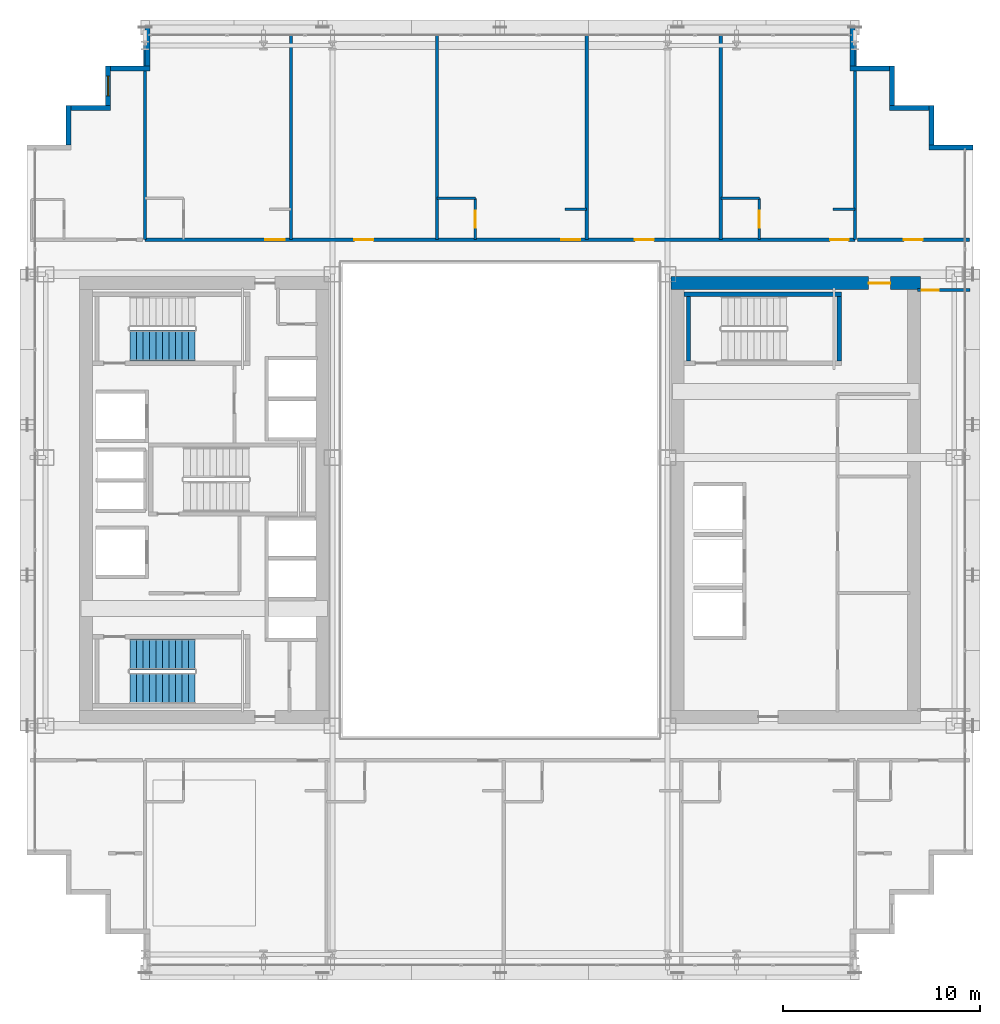
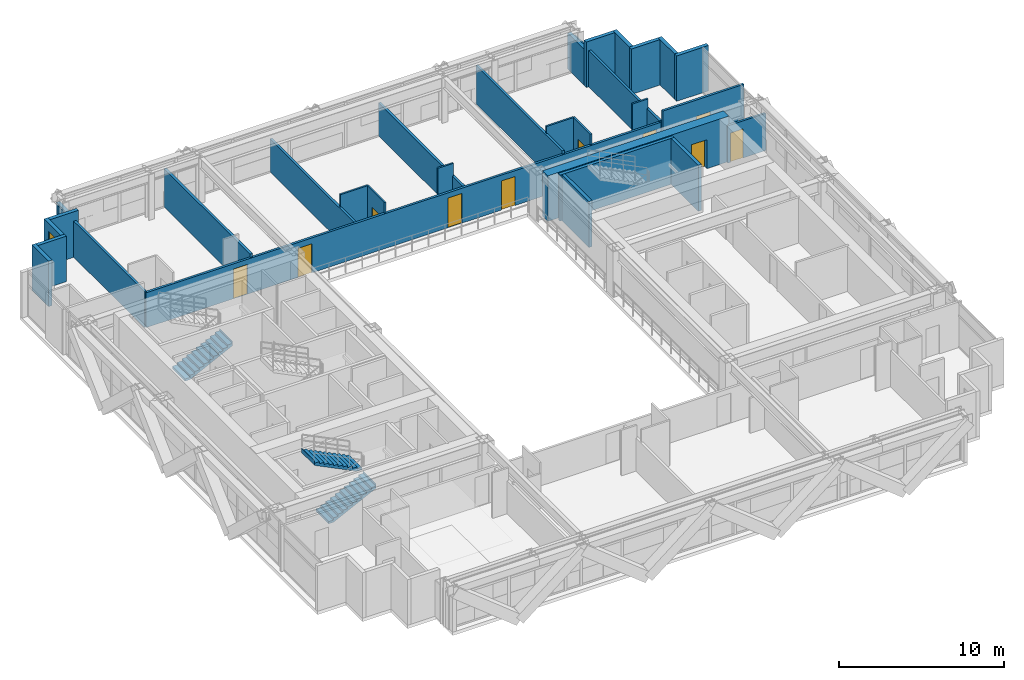
# One storey, part 30 of 35: 30 walls, 10 doors, 3 stair flights, 1 window, 11 openings, 2 elements without a shape of their own.
"""IFC4 building model written with IfcOpenShell, lengths in metres."""

import ifcopenshell
import ifcopenshell.guid

model = None  # the IFC model being written
_history = None  # IfcOwnerHistory: only IFC2X3 demands one
_inside = {}  # id of a spatial element -> (the spatial element, [elements in it])
_under = {}  # id of a project, library or spatial element -> (it, [spatial elements below it])
_declared = {}  # id of a project -> (the project, [libraries it declares])
_typed = {}  # id of a type object -> (the type object, [elements of that type])
_made_of = {}  # id of a material, layer set ... -> (it, [elements and type objects made of it])


def new_model(schema):
    """Start an empty IFC model of exactly this schema.

    Asked for "IFC4X3", IfcOpenShell would pick the latest addendum, in which some entities
    have other attributes; the version numbers below select the first issue.
    IFC2X3 requires an IfcOwnerHistory on every rooted entity: one is made here for all.
    """
    global model, _history
    if schema == "IFC4X3":
        model = ifcopenshell.file(schema_version=(4, 3, 0, 0))
    else:
        model = ifcopenshell.file(schema=schema)
    _inside.clear()
    _under.clear()
    _declared.clear()
    _typed.clear()
    _made_of.clear()
    _history = None
    if model.schema == "IFC2X3":
        org = make("IfcOrganization", Name="unknown")
        user = make(
            "IfcPersonAndOrganization",
            ThePerson=make("IfcPerson", FamilyName="unknown"),
            TheOrganization=org,
        )
        app = make(
            "IfcApplication",
            ApplicationDeveloper=org,
            Version="unknown",
            ApplicationFullName="unknown",
            ApplicationIdentifier="unknown",
        )
        _history = make(
            "IfcOwnerHistory",
            OwningUser=user,
            OwningApplication=app,
            ChangeAction="ADDED",
            CreationDate=0,
        )
    return model


def make(cls, **values):
    """One entity of the class cls with the attributes given. An attribute that is None is left unset."""
    return model.create_entity(
        cls, **{name: value for name, value in values.items() if value is not None}
    )


def rooted(cls, **values):
    """An entity with a GlobalId (a new one), such as an element, a storey or a relation."""
    return make(cls, GlobalId=ifcopenshell.guid.new(), OwnerHistory=_history, **values)


def si_unit(unit_type, name, prefix=None):
    """IfcSIUnit, for example si_unit("LENGTHUNIT", "METRE", prefix="MILLI")."""
    return make("IfcSIUnit", UnitType=unit_type, Prefix=prefix, Name=name)


def assignment(units):
    """IfcUnitAssignment: the units of a project."""
    return None if units is None else make("IfcUnitAssignment", Units=units)


def point(xyz):
    """IfcCartesianPoint."""
    return None if xyz is None else make("IfcCartesianPoint", Coordinates=xyz)


def direction(xyz):
    """IfcDirection."""
    return None if xyz is None else make("IfcDirection", DirectionRatios=xyz)


def frame(location, z_axis=None, x_axis=None):
    """IfcAxis2Placement3D, a coordinate frame: its origin and axes. An axis left out is left unset."""
    return make(
        "IfcAxis2Placement3D",
        Location=point(location),
        Axis=direction(z_axis),
        RefDirection=direction(x_axis),
    )


def frame_2d(location, x_axis=None):
    """IfcAxis2Placement2D, a coordinate frame in the plane: its origin and x axis."""
    return make(
        "IfcAxis2Placement2D", Location=point(location), RefDirection=direction(x_axis)
    )


def origin():
    """The frame at (0, 0, 0) with its axes left unset."""
    return frame((0.0, 0.0, 0.0))


def place(relative_to, where):
    """IfcLocalPlacement: puts the frame where relative to a parent placement (None: the world)."""
    return make(
        "IfcLocalPlacement", PlacementRelTo=relative_to, RelativePlacement=where
    )


def context(
    kind, dimensions, precision=None, world=None, true_north=None, identifier=None
):
    """IfcGeometricRepresentationContext, for example the 3D "Model" context."""
    return make(
        "IfcGeometricRepresentationContext",
        ContextIdentifier=identifier,
        ContextType=kind,
        CoordinateSpaceDimension=dimensions,
        Precision=precision,
        WorldCoordinateSystem=world,
        TrueNorth=true_north,
    )


def subcontext(parent, identifier, kind, view, scale=None):
    """IfcGeometricRepresentationSubContext, for example "Body" below "Model"."""
    return make(
        "IfcGeometricRepresentationSubContext",
        ContextIdentifier=identifier,
        ContextType=kind,
        ParentContext=parent,
        TargetScale=scale,
        TargetView=view,
    )


def project(units=None, contexts=None):
    """IfcProject with its units and contexts."""
    return rooted(
        "IfcProject",
        Name="project",
        RepresentationContexts=contexts,
        UnitsInContext=assignment(units),
    )


def spatial(cls, under=None, at=None, **own):
    """A site, building, storey or space (cls), placed at a placement, below another one or the project."""
    s = rooted(cls, ObjectPlacement=at, **own)
    if under is not None:
        _under.setdefault(under.id(), (under, []))[1].append(s)
    return s


def polyline(points):
    """IfcPolyline through the points."""
    return make("IfcPolyline", Points=[point(p) for p in points])


def profile(cls, at=None, kind="AREA", **sizes):
    """A parametric profile (cls). Its sizes go by their IFC names, for example OverallWidth=200.0."""
    return make(cls, ProfileType=kind, Position=at, **sizes)


def rectangle(**sizes):
    """IfcRectangleProfileDef."""
    return profile("IfcRectangleProfileDef", **sizes)


def outline(outer, holes=None, kind="AREA"):
    """IfcArbitraryClosedProfileDef: a profile drawn as a closed curve; with holes, ...WithVoids."""
    if holes is None:
        return make("IfcArbitraryClosedProfileDef", ProfileType=kind, OuterCurve=outer)
    return make(
        "IfcArbitraryProfileDefWithVoids",
        ProfileType=kind,
        OuterCurve=outer,
        InnerCurves=holes,
    )


def extrude(swept, where, along, depth):
    """IfcExtrudedAreaSolid: the profile swept, set in the frame where, extruded along a direction by depth."""
    return make(
        "IfcExtrudedAreaSolid",
        SweptArea=swept,
        Position=where,
        ExtrudedDirection=direction(along),
        Depth=depth,
    )


def shape(context_of_items, identifier, shape_type, items):
    """IfcShapeRepresentation: the items that make up one representation, for example the "Body"."""
    return make(
        "IfcShapeRepresentation",
        ContextOfItems=context_of_items,
        RepresentationIdentifier=identifier,
        RepresentationType=shape_type,
        Items=items,
    )


def source(mapping_origin, context_of_items, identifier, shape_type, items):
    """IfcRepresentationMap: a shape defined once, which mapped items show again and again."""
    return make(
        "IfcRepresentationMap",
        MappingOrigin=mapping_origin,
        MappedRepresentation=shape(context_of_items, identifier, shape_type, items),
    )


def transform(
    local_origin,
    x_axis=None,
    y_axis=None,
    z_axis=None,
    scale=None,
    scale2=None,
    scale3=None,
    uniform=True,
):
    """IfcCartesianTransformationOperator3D, or its non-uniform kind. x_axis, y_axis, z_axis: its Axis1, 2, 3."""
    if uniform:
        return make(
            "IfcCartesianTransformationOperator3D",
            Axis1=direction(x_axis),
            Axis2=direction(y_axis),
            LocalOrigin=point(local_origin),
            Scale=scale,
            Axis3=direction(z_axis),
        )
    return make(
        "IfcCartesianTransformationOperator3DnonUniform",
        Axis1=direction(x_axis),
        Axis2=direction(y_axis),
        LocalOrigin=point(local_origin),
        Scale=scale,
        Axis3=direction(z_axis),
        Scale2=scale2,
        Scale3=scale3,
    )


def mapped(mapping_source, mapping_target):
    """IfcMappedItem: shows the shape of a source again, moved by a transform."""
    return make(
        "IfcMappedItem", MappingSource=mapping_source, MappingTarget=mapping_target
    )


def material(Name=None, Category=None):
    """IfcMaterial."""
    return make("IfcMaterial", Name=Name, Category=Category)


def layer(
    of_material, thickness, ventilated=None, Name=None, Category=None, Priority=None
):
    """IfcMaterialLayer: one layer of a wall or slab, of a material (None: an air gap)."""
    return make(
        "IfcMaterialLayer",
        Material=of_material,
        LayerThickness=thickness,
        IsVentilated=ventilated,
        Name=Name,
        Category=Category,
        Priority=Priority,
    )


def layer_set(layers, Name=None):
    """IfcMaterialLayerSet."""
    return make("IfcMaterialLayerSet", MaterialLayers=layers, LayerSetName=Name)


def made_of(thing, what):
    """Note that an element or type object is made of a material, layer set ...; save() writes the relation."""
    if what is not None:
        _made_of.setdefault(what.id(), (what, []))[1].append(thing)
    return thing


def type_object(cls, material=None, **own):
    """A type object (cls), such as IfcWallType, which elements share."""
    return made_of(rooted(cls, **own), material)


def element(
    cls,
    number,
    at=None,
    inside=None,
    cuts=None,
    type_object=None,
    material=None,
    context=None,
    identifier="Body",
    shape_type=None,
    held_by="IfcProductDefinitionShape",
    body=None,
    shapes=None,
    **own,
):
    """One element of the class cls, such as IfcWall. Its Tag is "e" and its number.

    at: its placement. inside: the storey or other place that contains it. cuts: it is an
    opening in that element (IfcRelVoidsElement). A single representation is given by context,
    identifier, shape_type and body (its items); several are given by shapes. held_by: the class
    of the entity that holds the representations. save() writes the other relations.
    """
    e = rooted(cls, Tag="e%d" % number, ObjectPlacement=at, **own)
    if body is not None:
        shapes = [shape(context, identifier, shape_type, body)]
    if shapes is not None:
        e.Representation = make(held_by, Representations=shapes)
    if inside is not None:
        _inside.setdefault(inside.id(), (inside, []))[1].append(e)
    if cuts is not None:
        rooted(
            "IfcRelVoidsElement", RelatingBuildingElement=cuts, RelatedOpeningElement=e
        )
    if type_object is not None:
        _typed.setdefault(type_object.id(), (type_object, []))[1].append(e)
    return made_of(e, material)


def fill(opening, filler):
    """IfcRelFillsElement: the door or window that sits in an opening."""
    return rooted(
        "IfcRelFillsElement",
        RelatingOpeningElement=opening,
        RelatedBuildingElement=filler,
    )


def aggregate(whole, parts):
    """IfcRelAggregates: a whole, such as a stair, and the parts it consists of."""
    return rooted("IfcRelAggregates", RelatingObject=whole, RelatedObjects=parts)


def save(model, path):
    """Write the relations noted so far, then the file.

    IfcRelAggregates (storeys below a building ...), IfcRelContainedInSpatialStructure (elements
    in a storey), IfcRelDefinesByType, IfcRelAssociatesMaterial and IfcRelDeclares: one each for
    every whole, place, type object, material and project.
    """
    for whole, parts in _under.values():
        aggregate(whole, parts)
    for where, things in _inside.values():
        rooted(
            "IfcRelContainedInSpatialStructure",
            RelatedElements=things,
            RelatingStructure=where,
        )
    for kind, things in _typed.values():
        rooted("IfcRelDefinesByType", RelatedObjects=things, RelatingType=kind)
    for what, things in _made_of.values():
        rooted("IfcRelAssociatesMaterial", RelatedObjects=things, RelatingMaterial=what)
    for by, libraries in _declared.values():
        rooted("IfcRelDeclares", RelatingContext=by, RelatedDefinitions=libraries)
    model.write(path)


model = new_model("IFC4")

# Units and contexts
model_context = context("Model", 3, precision=1e-05, world=origin(), true_north=direction((0.0, 1.0)))
body_context = subcontext(model_context, "Body", "Model", "MODEL_VIEW")
ifc_project = project(units=[si_unit("LENGTHUNIT", "METRE"), si_unit("AREAUNIT", "SQUARE_METRE"), si_unit("VOLUMEUNIT", "CUBIC_METRE"), si_unit("PLANEANGLEUNIT", "RADIAN"), si_unit("MASSUNIT", "GRAM", prefix="KILO")], contexts=[model_context])

# Site, building, storey
site_placement = place(None, origin())
site = spatial("IfcSite", under=ifc_project, at=site_placement, CompositionType="ELEMENT")
building_placement = place(site_placement, origin())
building = spatial("IfcBuilding", under=site, at=building_placement, Name="Ocotamira Hotel", CompositionType="ELEMENT")
storey_placement = place(building_placement, frame((0.0, 0.0, 115.199951171875)))
storey = spatial("IfcBuildingStorey", under=building, at=storey_placement, Name="L28", CompositionType="ELEMENT", Elevation=115.199951171875)

# Wall, opening, door
ifc_material_1 = material(Name="Concrete C60/75", Category="concrete")
ifc_layer_1 = layer(ifc_material_1, 0.64990234375)
ifc_layer_set_1 = layer_set([ifc_layer_1], Name="Concrete C60/75")
wall_type_1 = type_object("IfcWallType", Name="WL-CORE-650", PredefinedType="SHEAR", material=ifc_layer_set_1)
wall_1_placement = place(storey_placement, frame((40.675048828125, 37.0, 0.0), z_axis=(0.0, 0.0, 1.0), x_axis=(1.0, 0.0, 0.0)))
wall_1 = element("IfcWall", 1, at=wall_1_placement, inside=storey, type_object=wall_type_1, Name="L28 Shear Core Wall ECORE-N", PredefinedType="SHEAR", context=body_context, shape_type="SweptSolid", body=[
    extrude(rectangle(XDim=12.64990234375, YDim=0.64990234375, at=frame_2d((6.324951171875, 0.0))), origin(), (0.0, 0.0, 1.0), 3.360107421875),
])
opening_1_placement = place(wall_1_placement, frame((10.02490234375, 0.0, 0.0)))
opening_1 = element("IfcOpeningElement", 2, at=opening_1_placement, cuts=wall_1, Name="Opening D-FR1", PredefinedType="OPENING", context=body_context, shape_type="SweptSolid", body=[
    extrude(rectangle(XDim=1.10009765625, YDim=2.14990234375, at=frame_2d((0.550048828125, 1.074951171875))), frame((0.0, 0.3349609375, 0.0), z_axis=(0.0, -1.0, 0.0), x_axis=(1.0, 0.0, 0.0)), (0.0, 0.0, 1.0), 0.669921875),
])
ifc_material_2 = material(Name="Fire-rated acoustic timber-veneer door", Category="wood")
door_type_1 = type_object("IfcDoorType", Name="DR-FIRE-1100", OperationType="NOTDEFINED", PredefinedType="DOOR", material=ifc_material_2)
shared_shape_1 = source(origin(), body_context, "Body", "SweptSolid", [
    extrude(rectangle(XDim=1.10009765625, YDim=2.14990234375, at=frame_2d((0.550048828125, 1.074951171875))), frame((0.0, 0.02490234375, 0.0), z_axis=(0.0, -1.0, 0.0), x_axis=(1.0, 0.0, 0.0)), (0.0, 0.0, 1.0), 0.050048828125),
])
door_1_placement = place(opening_1_placement, origin())
door_1 = element("IfcDoor", 3, at=door_1_placement, inside=storey, type_object=door_type_1, Name="L28 Door ID-L28-ELOB-N-D [ID-L28-ELOB-N-D]", OperationType="SINGLE_SWING_LEFT", OverallHeight=2.14990234375, OverallWidth=1.10009765625, PredefinedType="DOOR", context=body_context, shape_type="MappedRepresentation", body=[
    mapped(shared_shape_1, transform((0.0, 0.0, 0.0), scale=1.0)),
])
fill(opening_1, door_1)

# Walls
ifc_material_3 = material(Name="Precast concrete C45/55", Category="concrete")
ifc_layer_2 = layer(ifc_material_3, 0.25)
ifc_layer_set_2 = layer_set([ifc_layer_2], Name="Precast concrete C45/55")
wall_type_2 = type_object("IfcWallType", Name="WL-EXT-SER-250", PredefinedType="SOLIDWALL", material=ifc_layer_set_2)
wall_2_placement = place(storey_placement, frame((56.0, 43.875, 0.0), z_axis=(0.0, 0.0, 1.0), x_axis=(-1.0, 0.0, 0.0)))
element("IfcWall", 4, at=wall_2_placement, inside=storey, type_object=wall_type_2, Name="L28 Serrated Corner Wall 07", PredefinedType="SOLIDWALL", context=body_context, shape_type="SweptSolid", body=[
    extrude(rectangle(XDim=2.25, YDim=0.25, at=frame_2d((1.125, 0.0))), origin(), (0.0, 0.0, 1.0), 3.360107421875),
])
for number, where, z_axis, x_axis, name in (
    (5, (53.875, 44.0, 0.0), (0.0, 0.0, 1.0), (0.0, 1.0, 0.0), "L28 Serrated Corner Wall 08"),
    (6, (53.75, 45.875, 0.0), (0.0, 0.0, 1.0), (-1.0, 0.0, 0.0), "L28 Serrated Corner Wall 09"),
    (7, (51.875, 46.0, 0.0), (0.0, 0.0, 1.0), (0.0, 1.0, 0.0), "L28 Serrated Corner Wall 10"),
    (8, (51.75, 47.875, 0.0), (0.0, 0.0, 1.0), (-1.0, 0.0, 0.0), "L28 Serrated Corner Wall 11"),
):
    element("IfcWall", number, at=place(storey_placement, frame(where, z_axis=z_axis, x_axis=x_axis)), inside=storey, type_object=wall_type_2, Name=name, PredefinedType="SOLIDWALL", context=body_context, shape_type="SweptSolid", body=[
        extrude(rectangle(XDim=2.0, YDim=0.25, at=frame_2d((1.0, 0.0))), origin(), (0.0, 0.0, 1.0), 3.360107421875),
    ])
for number, where, z_axis, x_axis, name in (
    (9, (49.875, 48.0, 0.0), (0.0, 0.0, 1.0), (0.0, 1.0, 0.0), "L28 Serrated Corner Wall 12"),
    (10, (14.125, 50.0, 0.0), (0.0, 0.0, 1.0), (0.0, -1.0, 0.0), "L28 Serrated Corner Wall 13"),
):
    element("IfcWall", number, at=place(storey_placement, frame(where, z_axis=z_axis, x_axis=x_axis)), inside=storey, type_object=wall_type_2, Name=name, PredefinedType="SOLIDWALL", context=body_context, shape_type="SweptSolid", body=[
        extrude(rectangle(XDim=2.0, YDim=0.25, at=frame_2d((1.0, 0.0))), origin(), (0.0, 0.0, 1.0), 2.6669921875),
    ])
wall_3_placement = place(storey_placement, frame((14.25, 47.875, 0.0), z_axis=(0.0, 0.0, 1.0), x_axis=(-1.0, 0.0, 0.0)))
element("IfcWall", 11, at=wall_3_placement, inside=storey, type_object=wall_type_2, Name="L28 Serrated Corner Wall 14", PredefinedType="SOLIDWALL", context=body_context, shape_type="SweptSolid", body=[
    extrude(rectangle(XDim=2.0, YDim=0.25, at=frame_2d((1.0, 0.0))), origin(), (0.0, 0.0, 1.0), 3.360107421875),
])

# Wall, opening, window
wall_4_placement = place(storey_placement, frame((12.125, 48.0, 0.0), z_axis=(0.0, 0.0, 1.0), x_axis=(0.0, -1.0, 0.0)))
wall_4 = element("IfcWall", 12, at=wall_4_placement, inside=storey, type_object=wall_type_2, Name="L28 Serrated Corner Wall 15", PredefinedType="SOLIDWALL", context=body_context, shape_type="SweptSolid", body=[
    extrude(rectangle(XDim=2.0, YDim=0.25, at=frame_2d((1.0, 0.0))), origin(), (0.0, 0.0, 1.0), 3.360107421875),
])
opening_2_placement = place(wall_4_placement, frame((0.5, 0.0, 0.85009765625)))
opening_2 = element("IfcOpeningElement", 13, at=opening_2_placement, cuts=wall_4, Name="Opening WN-2", PredefinedType="OPENING", context=body_context, shape_type="SweptSolid", body=[
    extrude(rectangle(XDim=1.0, YDim=1.89990234375, at=frame_2d((0.5, 0.949951171875))), frame((0.0, 0.135009765625, 0.0), z_axis=(0.0, -1.0, 0.0), x_axis=(1.0, 0.0, 0.0)), (0.0, 0.0, 1.0), 0.27001953125),
])
ifc_material_4 = material(Name="Double-silver low-E solar glass", Category="glass")
window_type = type_object("IfcWindowType", Name="WIN-SER-1100", PartitioningType="SINGLE_PANEL", PredefinedType="WINDOW", material=ifc_material_4)
shared_shape_2 = source(origin(), body_context, "Body", "SweptSolid", [
    extrude(rectangle(XDim=1.0, YDim=1.89990234375, at=frame_2d((0.5, 0.949951171875))), frame((0.0, 0.030029296875, 0.0), z_axis=(0.0, -1.0, 0.0), x_axis=(1.0, 0.0, 0.0)), (0.0, 0.0, 1.0), 0.06005859375),
])
window_placement = place(opening_2_placement, origin())
window = element("IfcWindow", 14, at=window_placement, inside=storey, type_object=window_type, Name="L28 Serrated Corner Window 15", OverallHeight=1.89990234375, OverallWidth=1.0, PartitioningType="SINGLE_PANEL", PredefinedType="WINDOW", context=body_context, shape_type="MappedRepresentation", body=[
    mapped(shared_shape_2, transform((0.0, 0.0, 0.0), scale=1.0)),
])
fill(opening_2, window)

# Walls
for number, where, z_axis, x_axis, name in (
    (15, (12.25, 45.875, 0.0), (0.0, 0.0, 1.0), (-1.0, 0.0, 0.0), "L28 Serrated Corner Wall 16"),
    (16, (10.125, 46.0, 0.0), (0.0, 0.0, 1.0), (0.0, -1.0, 0.0), "L28 Serrated Corner Wall 17"),
):
    element("IfcWall", number, at=place(storey_placement, frame(where, z_axis=z_axis, x_axis=x_axis)), inside=storey, type_object=wall_type_2, Name=name, PredefinedType="SOLIDWALL", context=body_context, shape_type="SweptSolid", body=[
        extrude(rectangle(XDim=2.0, YDim=0.25, at=frame_2d((1.0, 0.0))), origin(), (0.0, 0.0, 1.0), 3.360107421875),
    ])

# Wall, opening, door
ifc_material_5 = material(Name="Acoustic double-layer fire gypsum board partition", Category="gypsum")
ifc_layer_3 = layer(ifc_material_5, 0.159912109375)
ifc_layer_set_3 = layer_set([ifc_layer_3], Name="Acoustic double-layer fire gypsum board partition")
wall_type_3 = type_object("IfcWallType", Name="WL-FIRE-160", PredefinedType="PARTITIONING", material=ifc_layer_set_3)
wall_5_placement = place(storey_placement, frame((50.1201171875, 39.199951171875, 0.0), z_axis=(0.0, 0.0, 1.0), x_axis=(1.0, 0.0, 0.0)))
wall_5 = element("IfcWall", 17, at=wall_5_placement, inside=storey, type_object=wall_type_3, Name="L28 Interior Wall PW-L28-Z2B-CNE-CW", PredefinedType="PARTITIONING", context=body_context, shape_type="SweptSolid", body=[
    extrude(rectangle(XDim=5.679931640625, YDim=0.159912109375, at=frame_2d((2.83984375, 0.0))), origin(), (0.0, 0.0, 1.0), 3.360107421875),
])
opening_3_placement = place(wall_5_placement, frame((2.360107421875, 0.0, 0.0)))
opening_3 = element("IfcOpeningElement", 18, at=opening_3_placement, cuts=wall_5, Name="Opening D-SV4", PredefinedType="OPENING", context=body_context, shape_type="SweptSolid", body=[
    extrude(rectangle(XDim=0.9599609375, YDim=2.14990234375, at=frame_2d((0.47998046875, 1.074951171875))), frame((0.0, 0.08984375, 0.0), z_axis=(0.0, -1.0, 0.0), x_axis=(1.0, 0.0, 0.0)), (0.0, 0.0, 1.0), 0.179931640625),
])
ifc_material_6 = material(Name="Fire-rated accessible walnut salon door", Category="wood")
door_type_2 = type_object("IfcDoorType", Name="DR-SERV-960", OperationType="NOTDEFINED", PredefinedType="DOOR", material=ifc_material_6)
shared_shape_3 = source(origin(), body_context, "Body", "SweptSolid", [
    extrude(rectangle(XDim=0.9599609375, YDim=2.14990234375, at=frame_2d((0.47998046875, 1.074951171875))), frame((0.0, 0.02490234375, 0.0), z_axis=(0.0, -1.0, 0.0), x_axis=(1.0, 0.0, 0.0)), (0.0, 0.0, 1.0), 0.050048828125),
])
door_2_placement = place(opening_3_placement, origin())
door_2 = element("IfcDoor", 19, at=door_2_placement, inside=storey, type_object=door_type_2, Name="L28 Door ID-L28-Z2B-CNE-CD [ID-L28-Z2B-CNE-CD]", OperationType="SINGLE_SWING_LEFT", OverallHeight=2.14990234375, OverallWidth=0.9599609375, PredefinedType="DOOR", context=body_context, shape_type="MappedRepresentation", body=[
    mapped(shared_shape_3, transform((0.0, 0.0, 0.0), scale=1.0)),
])
fill(opening_3, door_2)

# Wall, openings, doors
wall_6_placement = place(storey_placement, frame((14.0, 39.199951171875, 0.0), z_axis=(0.0, 0.0, 1.0), x_axis=(1.0, 0.0, 0.0)))
wall_6 = element("IfcWall", 20, at=wall_6_placement, inside=storey, type_object=wall_type_3, Name="L28 Interior Wall PW-L28-Z2BN-CORRW", PredefinedType="PARTITIONING", context=body_context, shape_type="SweptSolid", body=[
    extrude(rectangle(XDim=36.0, YDim=0.159912109375, at=frame_2d((18.0, 0.0))), origin(), (0.0, 0.0, 1.0), 2.5810546875),
])
opening_4_placement = place(wall_6_placement, frame((6.10009765625, 0.0, 0.0)))
opening_4 = element("IfcOpeningElement", 21, at=opening_4_placement, cuts=wall_6, Name="Opening D-GR2", PredefinedType="OPENING", context=body_context, shape_type="SweptSolid", body=[
    extrude(rectangle(XDim=0.97998046875, YDim=2.199951171875, at=frame_2d((0.489990234375, 1.10009765625))), frame((0.0, 0.08984375, 0.0), z_axis=(0.0, -1.0, 0.0), x_axis=(1.0, 0.0, 0.0)), (0.0, 0.0, 1.0), 0.179931640625),
])
opening_5_placement = place(wall_6_placement, frame((10.6201171875, 0.0, 0.0)))
opening_5 = element("IfcOpeningElement", 22, at=opening_5_placement, cuts=wall_6, Name="Opening D-SV4", PredefinedType="OPENING", context=body_context, shape_type="SweptSolid", body=[
    extrude(rectangle(XDim=0.9599609375, YDim=2.14990234375, at=frame_2d((0.47998046875, 1.074951171875))), frame((0.0, 0.08984375, 0.0), z_axis=(0.0, -1.0, 0.0), x_axis=(1.0, 0.0, 0.0)), (0.0, 0.0, 1.0), 0.179931640625),
])
opening_6_placement = place(wall_6_placement, frame((21.10009765625, 0.0, 0.0)))
opening_6 = element("IfcOpeningElement", 23, at=opening_6_placement, cuts=wall_6, Name="Opening D-GR2", PredefinedType="OPENING", context=body_context, shape_type="SweptSolid", body=[
    extrude(rectangle(XDim=0.97998046875, YDim=2.199951171875, at=frame_2d((0.489990234375, 1.10009765625))), frame((0.0, 0.08984375, 0.0), z_axis=(0.0, -1.0, 0.0), x_axis=(1.0, 0.0, 0.0)), (0.0, 0.0, 1.0), 0.179931640625),
])
opening_7_placement = place(wall_6_placement, frame((24.840087890625, 0.0, 0.0)))
opening_7 = element("IfcOpeningElement", 24, at=opening_7_placement, cuts=wall_6, Name="Opening D-SV4", PredefinedType="OPENING", context=body_context, shape_type="SweptSolid", body=[
    extrude(rectangle(XDim=0.9599609375, YDim=2.14990234375, at=frame_2d((0.47998046875, 1.074951171875))), frame((0.0, 0.08984375, 0.0), z_axis=(0.0, -1.0, 0.0), x_axis=(1.0, 0.0, 0.0)), (0.0, 0.0, 1.0), 0.179931640625),
])
opening_8_placement = place(wall_6_placement, frame((34.739990234375, 0.0, 0.0)))
opening_8 = element("IfcOpeningElement", 25, at=opening_8_placement, cuts=wall_6, Name="Opening D-GR1", PredefinedType="OPENING", context=body_context, shape_type="SweptSolid", body=[
    extrude(rectangle(XDim=0.93994140625, YDim=2.14990234375, at=frame_2d((0.469970703125, 1.074951171875))), frame((0.0, 0.08984375, 0.0), z_axis=(0.0, -1.0, 0.0), x_axis=(1.0, 0.0, 0.0)), (0.0, 0.0, 1.0), 0.179931640625),
])
door_3_placement = place(opening_5_placement, origin())
door_3 = element("IfcDoor", 26, at=door_3_placement, inside=storey, type_object=door_type_2, Name="L28 Door ID-L28-Z2BN-AMD2 [ID-L28-Z2BN-AMD2]", OperationType="SINGLE_SWING_RIGHT", OverallHeight=2.14990234375, OverallWidth=0.9599609375, PredefinedType="DOOR", context=body_context, shape_type="MappedRepresentation", body=[
    mapped(shared_shape_3, transform((0.0, 0.0, 0.0), scale=1.0)),
])
fill(opening_5, door_3)
door_4_placement = place(opening_7_placement, origin())
door_4 = element("IfcDoor", 27, at=door_4_placement, inside=storey, type_object=door_type_2, Name="L28 Door ID-L28-Z2BN-AMD4 [ID-L28-Z2BN-AMD4]", OperationType="SINGLE_SWING_RIGHT", OverallHeight=2.14990234375, OverallWidth=0.9599609375, PredefinedType="DOOR", context=body_context, shape_type="MappedRepresentation", body=[
    mapped(shared_shape_3, transform((0.0, 0.0, 0.0), scale=1.0)),
])
fill(opening_7, door_4)
ifc_material_7 = material(Name="Solid-core walnut suite entrance fire door", Category="wood")
door_type_3 = type_object("IfcDoorType", Name="DR-GUEST-940", OperationType="NOTDEFINED", PredefinedType="DOOR", material=ifc_material_7)
shared_shape_4 = source(origin(), body_context, "Body", "SweptSolid", [
    extrude(rectangle(XDim=0.93994140625, YDim=2.14990234375, at=frame_2d((0.469970703125, 1.074951171875))), frame((0.0, 0.02490234375, 0.0), z_axis=(0.0, -1.0, 0.0), x_axis=(1.0, 0.0, 0.0)), (0.0, 0.0, 1.0), 0.050048828125),
])
door_5_placement = place(opening_8_placement, origin())
door_5 = element("IfcDoor", 28, at=door_5_placement, inside=storey, type_object=door_type_3, Name="L28 Door ID-L28-Z2BN-RMD5 [ID-L28-Z2BN-RMD5]", OperationType="SINGLE_SWING_LEFT", OverallHeight=2.14990234375, OverallWidth=0.93994140625, PredefinedType="DOOR", context=body_context, shape_type="MappedRepresentation", body=[
    mapped(shared_shape_4, transform((0.0, 0.0, 0.0), scale=1.0)),
])
fill(opening_8, door_5)
ifc_material_8 = material(Name="Solid-core walnut grand-suite entrance fire door", Category="wood")
door_type_4 = type_object("IfcDoorType", Name="DR-GUEST-980", OperationType="NOTDEFINED", PredefinedType="DOOR", material=ifc_material_8)
shared_shape_5 = source(origin(), body_context, "Body", "SweptSolid", [
    extrude(rectangle(XDim=0.97998046875, YDim=2.199951171875, at=frame_2d((0.489990234375, 1.10009765625))), frame((0.0, 0.02490234375, 0.0), z_axis=(0.0, -1.0, 0.0), x_axis=(1.0, 0.0, 0.0)), (0.0, 0.0, 1.0), 0.050048828125),
])
door_6_placement = place(opening_4_placement, origin())
door_6 = element("IfcDoor", 29, at=door_6_placement, inside=storey, type_object=door_type_4, Name="L28 Door ID-L28-Z2BN-RMD1 [ID-L28-Z2BN-RMD1]", OperationType="SINGLE_SWING_LEFT", OverallHeight=2.199951171875, OverallWidth=0.97998046875, PredefinedType="DOOR", context=body_context, shape_type="MappedRepresentation", body=[
    mapped(shared_shape_5, transform((0.0, 0.0, 0.0), scale=1.0)),
])
fill(opening_4, door_6)
door_7_placement = place(opening_6_placement, origin())
door_7 = element("IfcDoor", 30, at=door_7_placement, inside=storey, type_object=door_type_4, Name="L28 Door ID-L28-Z2BN-RMD3 [ID-L28-Z2BN-RMD3]", OperationType="SINGLE_SWING_LEFT", OverallHeight=2.199951171875, OverallWidth=0.97998046875, PredefinedType="DOOR", context=body_context, shape_type="MappedRepresentation", body=[
    mapped(shared_shape_5, transform((0.0, 0.0, 0.0), scale=1.0)),
])
fill(opening_6, door_7)

# Wall, opening, door
ifc_material_9 = material(Name="Moisture-resistant en-suite tile and gypsum partition", Category="gypsum")
ifc_layer_4 = layer(ifc_material_9, 0.1201171875)
ifc_layer_set_4 = layer_set([ifc_layer_4], Name="Moisture-resistant en-suite tile and gypsum partition")
wall_type_4 = type_object("IfcWallType", Name="WL-PART-120", PredefinedType="PARTITIONING", material=ifc_layer_set_4)
wall_7_placement = place(storey_placement, frame((30.75, 39.199951171875, 0.0), z_axis=(0.0, 0.0, 1.0), x_axis=(0.0, 1.0, 0.0)))
wall_7 = element("IfcWall", 31, at=wall_7_placement, inside=storey, type_object=wall_type_4, Name="L28 Interior Wall PW-L28-Z2BN-BAE3", PredefinedType="PARTITIONING", context=body_context, shape_type="SweptSolid", body=[
    extrude(rectangle(XDim=2.10009765625, YDim=0.1201171875, at=frame_2d((1.050048828125, 0.0))), origin(), (0.0, 0.0, 1.0), 3.360107421875),
])
opening_9_placement = place(wall_7_placement, frame((0.6201171875, 0.0, 0.0)))
opening_9 = element("IfcOpeningElement", 32, at=opening_9_placement, cuts=wall_7, Name="Opening D-BA1", PredefinedType="OPENING", context=body_context, shape_type="SweptSolid", body=[
    extrude(rectangle(XDim=0.860107421875, YDim=2.10009765625, at=frame_2d((0.43017578125, 1.050048828125))), frame((0.0, 0.070068359375, 0.0), z_axis=(0.0, -1.0, 0.0), x_axis=(1.0, 0.0, 0.0)), (0.0, 0.0, 1.0), 0.14013671875),
])
ifc_material_10 = material(Name="Moisture-sealed en-suite timber door", Category="wood")
door_type_5 = type_object("IfcDoorType", Name="DR-BATH-860", OperationType="NOTDEFINED", PredefinedType="DOOR", material=ifc_material_10)
shared_shape_6 = source(origin(), body_context, "Body", "SweptSolid", [
    extrude(rectangle(XDim=0.860107421875, YDim=2.10009765625, at=frame_2d((0.43017578125, 1.050048828125))), frame((0.0, 0.02490234375, 0.0), z_axis=(0.0, -1.0, 0.0), x_axis=(1.0, 0.0, 0.0)), (0.0, 0.0, 1.0), 0.050048828125),
])
door_8_placement = place(opening_9_placement, origin())
door_8 = element("IfcDoor", 33, at=door_8_placement, inside=storey, type_object=door_type_5, Name="L28 Door ID-L28-Z2BN-BAD3 [ID-L28-Z2BN-BAD3]", OperationType="SINGLE_SWING_RIGHT", OverallHeight=2.10009765625, OverallWidth=0.860107421875, PredefinedType="DOOR", context=body_context, shape_type="MappedRepresentation", body=[
    mapped(shared_shape_6, transform((0.0, 0.0, 0.0), scale=1.0)),
])
fill(opening_9, door_8)

# Walls
wall_8_placement = place(storey_placement, frame((28.800048828125, 41.300048828125, 0.0), z_axis=(0.0, 0.0, 1.0), x_axis=(1.0, 0.0, 0.0)))
element("IfcWall", 34, at=wall_8_placement, inside=storey, type_object=wall_type_4, Name="L28 Interior Wall PW-L28-Z2BN-BAN3", PredefinedType="PARTITIONING", context=body_context, shape_type="SweptSolid", body=[
    extrude(rectangle(XDim=1.949951171875, YDim=0.1201171875, at=frame_2d((0.97509765625, 0.0))), origin(), (0.0, 0.0, 1.0), 3.360107421875),
])
wall_9_placement = place(storey_placement, frame((35.300048828125, 40.75, 0.0), z_axis=(0.0, 0.0, 1.0), x_axis=(1.0, 0.0, 0.0)))
element("IfcWall", 35, at=wall_9_placement, inside=storey, type_object=wall_type_4, Name="L28 Interior Wall PW-L28-Z2BN-DRN3", PredefinedType="PARTITIONING", context=body_context, shape_type="SweptSolid", body=[
    extrude(rectangle(XDim=1.099853515625, YDim=0.1201171875, at=frame_2d((0.5498046875, 0.0))), origin(), (0.0, 0.0, 1.0), 3.360107421875),
])

# Wall, opening, door
wall_10_placement = place(storey_placement, frame((45.14990234375, 39.199951171875, 0.0), z_axis=(0.0, 0.0, 1.0), x_axis=(0.0, 1.0, 0.0)))
wall_10 = element("IfcWall", 36, at=wall_10_placement, inside=storey, type_object=wall_type_4, Name="L28 Interior Wall PW-L28-Z2BN-BAE5", PredefinedType="PARTITIONING", context=body_context, shape_type="SweptSolid", body=[
    extrude(rectangle(XDim=2.10009765625, YDim=0.1201171875, at=frame_2d((1.050048828125, 0.0))), origin(), (0.0, 0.0, 1.0), 3.360107421875),
])
opening_10_placement = place(wall_10_placement, frame((0.6201171875, 0.0, 0.0)))
opening_10 = element("IfcOpeningElement", 37, at=opening_10_placement, cuts=wall_10, Name="Opening D-BA1", PredefinedType="OPENING", context=body_context, shape_type="SweptSolid", body=[
    extrude(rectangle(XDim=0.860107421875, YDim=2.10009765625, at=frame_2d((0.43017578125, 1.050048828125))), frame((0.0, 0.070068359375, 0.0), z_axis=(0.0, -1.0, 0.0), x_axis=(1.0, 0.0, 0.0)), (0.0, 0.0, 1.0), 0.14013671875),
])
door_9_placement = place(opening_10_placement, origin())
door_9 = element("IfcDoor", 38, at=door_9_placement, inside=storey, type_object=door_type_5, Name="L28 Door ID-L28-Z2BN-BAD5 [ID-L28-Z2BN-BAD5]", OperationType="SINGLE_SWING_RIGHT", OverallHeight=2.10009765625, OverallWidth=0.860107421875, PredefinedType="DOOR", context=body_context, shape_type="MappedRepresentation", body=[
    mapped(shared_shape_6, transform((0.0, 0.0, 0.0), scale=1.0)),
])
fill(opening_10, door_9)

# Walls
wall_11_placement = place(storey_placement, frame((43.199951171875, 41.300048828125, 0.0), z_axis=(0.0, 0.0, 1.0), x_axis=(1.0, 0.0, 0.0)))
element("IfcWall", 39, at=wall_11_placement, inside=storey, type_object=wall_type_4, Name="L28 Interior Wall PW-L28-Z2BN-BAN5", PredefinedType="PARTITIONING", context=body_context, shape_type="SweptSolid", body=[
    extrude(rectangle(XDim=1.949951171875, YDim=0.1201171875, at=frame_2d((0.97509765625, 0.0))), origin(), (0.0, 0.0, 1.0), 3.360107421875),
])
wall_12_placement = place(storey_placement, frame((48.89990234375, 40.75, 0.0), z_axis=(0.0, 0.0, 1.0), x_axis=(1.0, 0.0, 0.0)))
element("IfcWall", 40, at=wall_12_placement, inside=storey, type_object=wall_type_4, Name="L28 Interior Wall PW-L28-Z2BN-DRN5", PredefinedType="PARTITIONING", context=body_context, shape_type="SweptSolid", body=[
    extrude(rectangle(XDim=1.10009765625, YDim=0.1201171875, at=frame_2d((0.550048828125, 0.0))), origin(), (0.0, 0.0, 1.0), 3.360107421875),
])

# Wall, opening, door
ifc_material_11 = material(Name="Acoustic hospitality gypsum board partition", Category="gypsum")
ifc_layer_5 = layer(ifc_material_11, 0.14990234375)
ifc_layer_set_5 = layer_set([ifc_layer_5], Name="Acoustic hospitality gypsum board partition")
wall_type_5 = type_object("IfcWallType", Name="WL-PART-150", PredefinedType="PARTITIONING", material=ifc_layer_set_5)
wall_13_placement = place(storey_placement, frame((53.179931640625, 36.639892578125, 0.0), z_axis=(0.0, 0.0, 1.0), x_axis=(1.0, 0.0, 0.0)))
wall_13 = element("IfcWall", 41, at=wall_13_placement, inside=storey, type_object=wall_type_5, Name="L28 Interior Wall PW-L28-Z2B-EF-WN", PredefinedType="PARTITIONING", context=body_context, shape_type="SweptSolid", body=[
    extrude(rectangle(XDim=2.66015625, YDim=0.14990234375, at=frame_2d((1.330078125, 0.0))), origin(), (0.0, 0.0, 1.0), 2.7431640625),
])
opening_11_placement = place(wall_13_placement, frame((0.199951171875, 0.0, 0.0)))
opening_11 = element("IfcOpeningElement", 42, at=opening_11_placement, cuts=wall_13, Name="Opening D-SV2", PredefinedType="OPENING", context=body_context, shape_type="SweptSolid", body=[
    extrude(rectangle(XDim=0.8798828125, YDim=2.14990234375, at=frame_2d((0.43994140625, 1.074951171875))), frame((0.0, 0.0849609375, 0.0), z_axis=(0.0, -1.0, 0.0), x_axis=(1.0, 0.0, 0.0)), (0.0, 0.0, 1.0), 0.169921875),
])
ifc_material_12 = material(Name="Fire-rated painted steel service door", Category="steel")
door_type_6 = type_object("IfcDoorType", Name="DR-SERV-880", OperationType="NOTDEFINED", PredefinedType="DOOR", material=ifc_material_12)
shared_shape_7 = source(origin(), body_context, "Body", "SweptSolid", [
    extrude(rectangle(XDim=0.8798828125, YDim=2.14990234375, at=frame_2d((0.43994140625, 1.074951171875))), frame((0.0, 0.02490234375, 0.0), z_axis=(0.0, -1.0, 0.0), x_axis=(1.0, 0.0, 0.0)), (0.0, 0.0, 1.0), 0.050048828125),
])
door_10_placement = place(opening_11_placement, origin())
door_10 = element("IfcDoor", 43, at=door_10_placement, inside=storey, type_object=door_type_6, Name="L28 Door ID-L28-Z2B-EF-DN [ID-L28-Z2B-EF-DN]", OperationType="SINGLE_SWING_LEFT", OverallHeight=2.14990234375, OverallWidth=0.8798828125, PredefinedType="DOOR", context=body_context, shape_type="MappedRepresentation", body=[
    mapped(shared_shape_7, transform((0.0, 0.0, 0.0), scale=1.0)),
])
fill(opening_11, door_10)

# Walls
ifc_material_13 = material(Name="Acoustic double-stud hospitality gypsum partition", Category="gypsum")
ifc_layer_6 = layer(ifc_material_13, 0.159912109375)
ifc_layer_set_6 = layer_set([ifc_layer_6], Name="Acoustic double-stud hospitality gypsum partition")
wall_type_6 = type_object("IfcWallType", Name="WL-PART-160", PredefinedType="PARTITIONING", material=ifc_layer_set_6)
for number, where, z_axis, x_axis, name in (
    (44, (14.0, 39.199951171875, 0.0), (0.0, 0.0, 1.0), (0.0, 1.0, 0.0), "L28 Interior Wall PW-L28-Z2BN-PW0"),
    (45, (50.0, 39.199951171875, 0.0), (0.0, 0.0, 1.0), (0.0, 1.0, 0.0), "L28 Interior Wall PW-L28-Z2BN-PWEND"),
):
    element("IfcWall", number, at=place(storey_placement, frame(where, z_axis=z_axis, x_axis=x_axis)), inside=storey, type_object=wall_type_6, Name=name, PredefinedType="PARTITIONING", context=body_context, shape_type="SweptSolid", body=[
        extrude(rectangle(XDim=10.43994140625, YDim=0.159912109375, at=frame_2d((5.219970703125, 0.0))), origin(), (0.0, 0.0, 1.0), 2.6669921875),
    ])
wall_14_placement = place(storey_placement, frame((28.800048828125, 39.199951171875, 0.0), z_axis=(0.0, 0.0, 1.0), x_axis=(0.0, 1.0, 0.0)))
element("IfcWall", 46, at=wall_14_placement, inside=storey, type_object=wall_type_6, Name="L28 Interior Wall PW-L28-Z2BN-PW2", PredefinedType="PARTITIONING", context=body_context, shape_type="SweptSolid", body=[
    extrude(rectangle(XDim=10.43994140625, YDim=0.159912109375, at=frame_2d((5.219970703125, 0.0))), origin(), (0.0, 0.0, 1.0), 2.43310546875),
])
wall_15_placement = place(storey_placement, frame((43.199951171875, 39.199951171875, 0.0), z_axis=(0.0, 0.0, 1.0), x_axis=(0.0, 1.0, 0.0)))
element("IfcWall", 47, at=wall_15_placement, inside=storey, type_object=wall_type_6, Name="L28 Interior Wall PW-L28-Z2BN-PW4", PredefinedType="PARTITIONING", context=body_context, shape_type="SweptSolid", body=[
    extrude(rectangle(XDim=10.43994140625, YDim=0.159912109375, at=frame_2d((5.219970703125, 0.0))), origin(), (0.0, 0.0, 1.0), 2.822998046875),
])
ifc_material_14 = material(Name="Double-stud suite party gypsum partition", Category="gypsum")
ifc_layer_7 = layer(ifc_material_14, 0.175048828125)
ifc_layer_set_7 = layer_set([ifc_layer_7], Name="Double-stud suite party gypsum partition")
wall_type_7 = type_object("IfcWallType", Name="WL-PART-175", PredefinedType="PARTITIONING", material=ifc_layer_set_7)
wall_16_placement = place(storey_placement, frame((21.39990234375, 39.199951171875, 0.0), z_axis=(0.0, 0.0, 1.0), x_axis=(0.0, 1.0, 0.0)))
element("IfcWall", 48, at=wall_16_placement, inside=storey, type_object=wall_type_7, Name="L28 Interior Wall PW-L28-Z2BN-PW1", PredefinedType="PARTITIONING", context=body_context, shape_type="SweptSolid", body=[
    extrude(rectangle(XDim=10.43994140625, YDim=0.175048828125, at=frame_2d((5.219970703125, 0.0))), origin(), (0.0, 0.0, 1.0), 2.822998046875),
])
wall_17_placement = place(storey_placement, frame((36.39990234375, 39.199951171875, 0.0), z_axis=(0.0, 0.0, 1.0), x_axis=(0.0, 1.0, 0.0)))
element("IfcWall", 49, at=wall_17_placement, inside=storey, type_object=wall_type_7, Name="L28 Interior Wall PW-L28-Z2BN-PW3", PredefinedType="PARTITIONING", context=body_context, shape_type="SweptSolid", body=[
    extrude(rectangle(XDim=10.43994140625, YDim=0.175048828125, at=frame_2d((5.219970703125, 0.0))), origin(), (0.0, 0.0, 1.0), 2.43310546875),
])
ifc_material_15 = material(Name="Concrete C50/60", Category="concrete")
ifc_layer_8 = layer(ifc_material_15, 0.219970703125)
ifc_layer_set_8 = layer_set([ifc_layer_8], Name="Concrete C50/60")
wall_type_8 = type_object("IfcWallType", Name="WL-STAIR-220", PredefinedType="SHEAR", material=ifc_layer_set_8)
wall_18_placement = place(storey_placement, frame((41.324951171875, 36.43994140625, 0.0), z_axis=(0.0, 0.0, 1.0), x_axis=(1.0, 0.0, 0.0)))
element("IfcWall", 50, at=wall_18_placement, inside=storey, type_object=wall_type_8, Name="L28 Stair Shaft Structural Wall ST-4-N", PredefinedType="SHEAR", context=body_context, shape_type="SweptSolid", body=[
    extrude(rectangle(XDim=7.985107421875, YDim=0.219970703125, at=frame_2d((3.99267578125, 0.0))), origin(), (0.0, 0.0, 1.0), 3.400146484375),
])
for number, where, z_axis, x_axis, name in (
    (51, (41.56005859375, 33.050048828125, 0.0), (0.0, 0.0, 1.0), (0.0, 1.0, 0.0), "L28 Stair Shaft Structural Wall ST-4-W"),
    (52, (49.199951171875, 33.050048828125, 0.0), (0.0, 0.0, 1.0), (0.0, 1.0, 0.0), "L28 Stair Shaft Structural Wall ST-4-E"),
):
    element("IfcWall", number, at=place(storey_placement, frame(where, z_axis=z_axis, x_axis=x_axis)), inside=storey, type_object=wall_type_8, Name=name, PredefinedType="SHEAR", context=body_context, shape_type="SweptSolid", body=[
        extrude(rectangle(XDim=3.280029296875, YDim=0.219970703125, at=frame_2d((1.64013671875, 0.0))), origin(), (0.0, 0.0, 1.0), 3.400146484375),
    ])

# Stair, stair flights
ifc_material_16 = material(Name="Concrete C40/50", Category="concrete")
stair_type = type_object("IfcStairType", Name="ST-CORE-1560", PredefinedType="HALF_TURN_STAIR", material=ifc_material_16)
stair_1_placement = place(storey_placement, origin())
stair_1 = element("IfcStair", 53, at=stair_1_placement, inside=storey, type_object=stair_type, Name="L28 Exit Stair ST-1", PredefinedType="HALF_TURN_STAIR")
stair_flight_type = type_object("IfcStairFlightType", Name="STF-CORE-1560", PredefinedType="STRAIGHT", material=ifc_material_16)
shared_shape_8 = source(origin(), body_context, "Body", "SweptSolid", [
    extrude(outline(polyline([(-0.00390625, 0.0), (-0.00390625, 0.16357421875), (0.330078125, 0.16357421875), (0.330078125, 0.327392578125), (0.659912109375, 0.327392578125), (0.659912109375, 0.490966796875), (0.989990234375, 0.490966796875), (0.989990234375, 0.654541015625), (1.320068359375, 0.654541015625), (1.320068359375, 0.818115234375), (1.64990234375, 0.818115234375), (1.64990234375, 0.98193359375), (1.97998046875, 0.98193359375), (1.97998046875, 1.1455078125), (2.31005859375, 1.1455078125), (2.31005859375, 1.30908203125), (2.639892578125, 1.30908203125), (2.639892578125, 1.47265625), (2.969970703125, 1.47265625), (2.969970703125, 1.636474609375), (3.300048828125, 1.636474609375), (3.300048828125, 1.800048828125), (3.303955078125, 1.800048828125), (3.303955078125, 1.468994140625), (0.33740234375, 0.0), (-0.00390625, 0.0)])), frame((0.0, 0.780029296875, 0.0), z_axis=(0.0, -1.0, 0.0), x_axis=(1.0, 0.0, 0.0)), (0.0, 0.0, 1.0), 1.56005859375),
])
stair_flight_1_placement = place(storey_placement, frame((13.22998046875, 16.449951171875, 0.0), z_axis=(0.0, 0.0, 1.0), x_axis=(1.0, 0.0, 0.0)))
stair_flight_1 = element("IfcStairFlight", 54, at=stair_flight_1_placement, type_object=stair_flight_type, Name="ST-1 flight 1", NumberOfRisers=11, NumberOfTreads=10, PredefinedType="STRAIGHT", RiserHeight=0.163636364, TreadLength=0.33, context=body_context, shape_type="MappedRepresentation", body=[
    mapped(shared_shape_8, transform((0.0, 0.0, 0.0), scale=1.0)),
])
stair_flight_2_placement = place(storey_placement, frame((16.530029296875, 18.169921875, 1.800048828125), z_axis=(0.0, 0.0, 1.0), x_axis=(-1.0, 0.0, 0.0)))
stair_flight_2 = element("IfcStairFlight", 55, at=stair_flight_2_placement, type_object=stair_flight_type, Name="ST-1 flight 2", NumberOfRisers=11, NumberOfTreads=10, PredefinedType="STRAIGHT", RiserHeight=0.163636364, TreadLength=0.33, context=body_context, shape_type="MappedRepresentation", body=[
    mapped(shared_shape_8, transform((0.0, 0.0, 0.0), scale=1.0)),
])
aggregate(stair_1, [stair_flight_1, stair_flight_2])

# Stair, stair flight
stair_2_placement = place(storey_placement, origin())
stair_2 = element("IfcStair", 56, at=stair_2_placement, inside=storey, type_object=stair_type, Name="L28 Exit Stair ST-2", PredefinedType="HALF_TURN_STAIR")
stair_flight_3_placement = place(storey_placement, frame((13.22998046875, 33.830078125, 0.0), z_axis=(0.0, 0.0, 1.0), x_axis=(1.0, 0.0, 0.0)))
stair_flight_3 = element("IfcStairFlight", 57, at=stair_flight_3_placement, type_object=stair_flight_type, Name="ST-2 flight 1", NumberOfRisers=11, NumberOfTreads=10, PredefinedType="STRAIGHT", RiserHeight=0.163636364, TreadLength=0.33, context=body_context, shape_type="MappedRepresentation", body=[
    mapped(shared_shape_8, transform((0.0, 0.0, 0.0), scale=1.0)),
])
aggregate(stair_2, [stair_flight_3])

save(model, "model.ifc")
